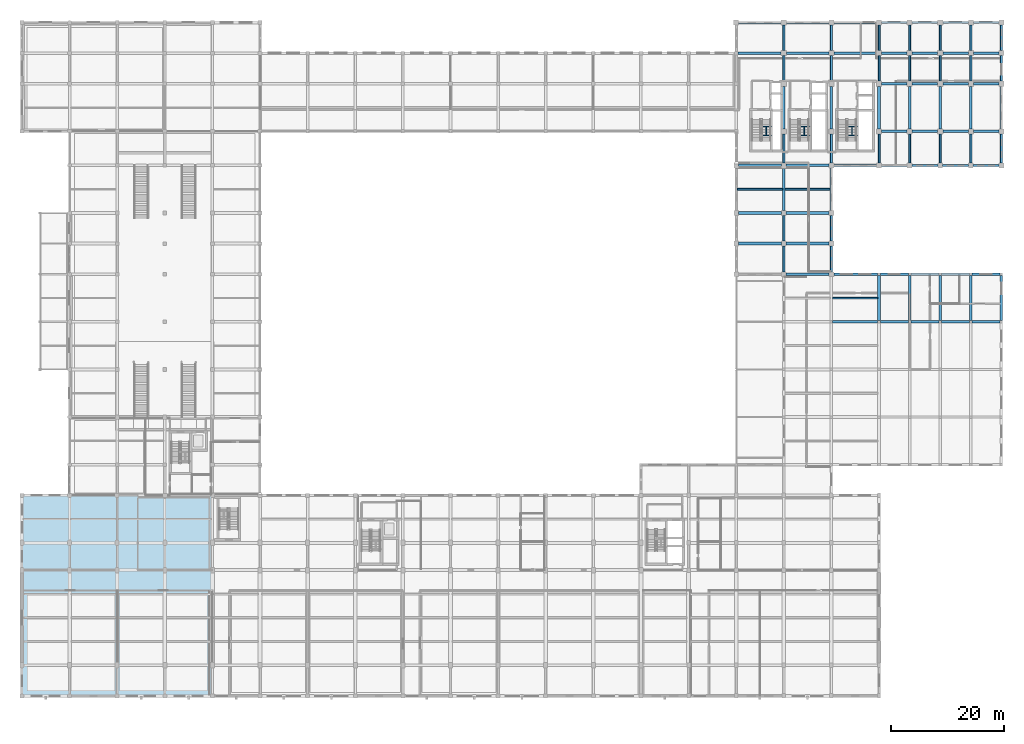
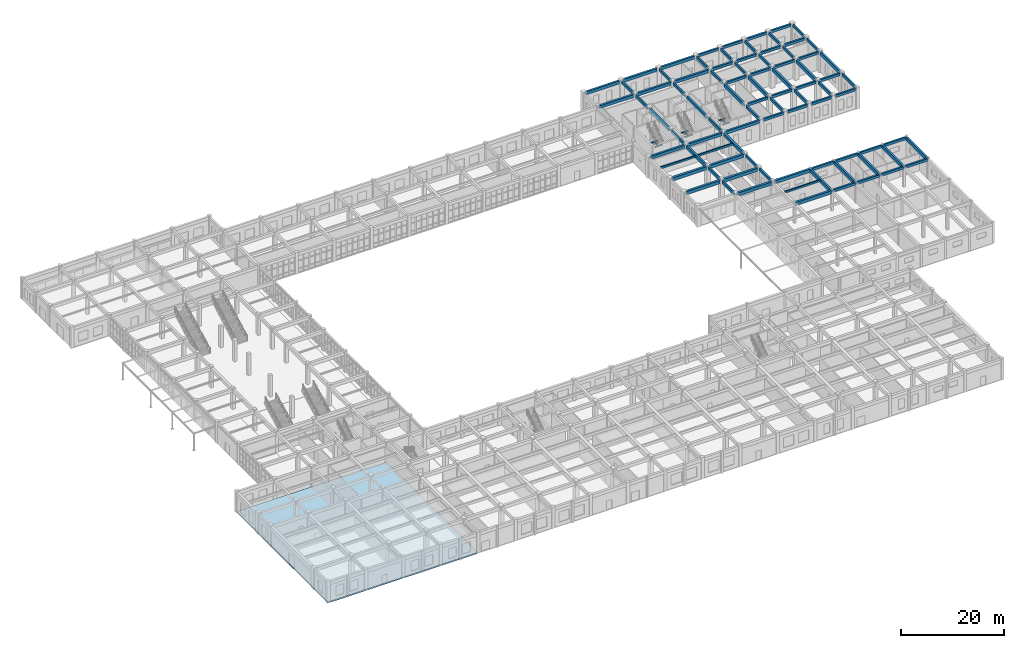
# One storey, part 42 of 80: 95 beams, 1 slab.
"""IFC4 building model written with IfcOpenShell, lengths in metres."""

from ifc_helpers import new_model, si_unit, direction, frame, origin, origin_2d, place, context, subcontext, project, spatial, polyline, rectangle, i_section, outline, extrude, material, layer, layer_set, material_profile, profile_set, type_object, element, save


model = new_model("IFC4")

# Units and contexts
model_context = context("Model", 3, precision=1e-05, world=origin(), true_north=direction((0.0, 1.0)))
body_context = subcontext(model_context, "Body", "Model", "MODEL_VIEW")
ifc_project = project(units=[si_unit("LENGTHUNIT", "METRE"), si_unit("AREAUNIT", "SQUARE_METRE"), si_unit("VOLUMEUNIT", "CUBIC_METRE"), si_unit("PLANEANGLEUNIT", "RADIAN"), si_unit("MASSUNIT", "GRAM", prefix="KILO")], contexts=[model_context])

# Site, building, storey
site_placement = place(None, origin())
site = spatial("IfcSite", under=ifc_project, at=site_placement, CompositionType="ELEMENT")
building_placement = place(site_placement, origin())
building = spatial("IfcBuilding", under=site, at=building_placement, Name="Krzemoval Escarpment Law Courts", CompositionType="ELEMENT")
storey_placement = place(building_placement, origin())
storey = spatial("IfcBuildingStorey", under=building, at=storey_placement, Name="L00", CompositionType="ELEMENT", Elevation=0.0)

# Beams
ifc_material_1 = material(Name="Concrete C40/50", Category="concrete")
ifc_material_profile_1 = material_profile(ifc_material_1, rectangle(XDim=0.35009765625, YDim=0.64990234375, at=origin_2d()), Name="RCB 350x650")
ifc_profile_set_1 = profile_set([ifc_material_profile_1], Name="Concrete C40/50")
beam_type_1 = type_object("IfcBeamType", Name="BM-RC-350x650", PredefinedType="BEAM", material=ifc_profile_set_1)
beam_1_placement = place(storey_placement, frame((134.39990234375, 74.824951171875, 4.4951171875), z_axis=(0.0, 1.0, 0.0), x_axis=(-1.0, 0.0, 0.0)))
element("IfcBeam", 1, at=beam_1_placement, inside=storey, type_object=beam_type_1, Name="Beam FG-L00-0971", PredefinedType="BEAM", context=body_context, shape_type="SweptSolid", body=[
    extrude(rectangle(XDim=0.35009765625, YDim=0.64990234375, at=origin_2d()), origin(), (0.0, 0.0, 1.0), 4.550048828125),
])
beam_2_placement = place(storey_placement, frame((134.39990234375, 80.22509765625, 4.4951171875), z_axis=(0.0, 1.0, 0.0), x_axis=(-1.0, 0.0, 0.0)))
element("IfcBeam", 2, at=beam_2_placement, inside=storey, type_object=beam_type_1, Name="Beam FG-L00-0972", PredefinedType="BEAM", context=body_context, shape_type="SweptSolid", body=[
    extrude(rectangle(XDim=0.35009765625, YDim=0.64990234375, at=origin_2d()), origin(), (0.0, 0.0, 1.0), 4.5498046875),
])
beam_3_placement = place(storey_placement, frame((134.39990234375, 94.02490234375, 4.4951171875), z_axis=(0.0, 1.0, 0.0), x_axis=(-1.0, 0.0, 0.0)))
element("IfcBeam", 3, at=beam_3_placement, inside=storey, type_object=beam_type_1, Name="Beam FG-L00-0974", PredefinedType="BEAM", context=body_context, shape_type="SweptSolid", body=[
    extrude(rectangle(XDim=0.35009765625, YDim=0.64990234375, at=origin_2d()), origin(), (0.0, 0.0, 1.0), 5.125),
])
for number, where, z_axis, x_axis, name in (
    (4, (134.39990234375, 108.449951171875, 4.4951171875), (0.0, 1.0, 0.0), (-1.0, 0.0, 0.0), "Beam FG-L00-0976"),
    (5, (134.39990234375, 113.85009765625, 4.4951171875), (0.0, 1.0, 0.0), (-1.0, 0.0, 0.0), "Beam FG-L00-0977"),
):
    element("IfcBeam", number, at=place(storey_placement, frame(where, z_axis=z_axis, x_axis=x_axis)), inside=storey, type_object=beam_type_1, Name=name, PredefinedType="BEAM", context=body_context, shape_type="SweptSolid", body=[
        extrude(rectangle(XDim=0.35009765625, YDim=0.64990234375, at=origin_2d()), origin(), (0.0, 0.0, 1.0), 4.5),
    ])
beam_4_placement = place(storey_placement, frame((142.800048828125, 74.824951171875, 4.4951171875), z_axis=(0.0, 1.0, 0.0), x_axis=(-1.0, 0.0, 0.0)))
element("IfcBeam", 6, at=beam_4_placement, inside=storey, type_object=beam_type_1, Name="Beam FG-L00-0987", PredefinedType="BEAM", context=body_context, shape_type="SweptSolid", body=[
    extrude(rectangle(XDim=0.35009765625, YDim=0.64990234375, at=origin_2d()), origin(), (0.0, 0.0, 1.0), 4.550048828125),
])
beam_5_placement = place(storey_placement, frame((142.800048828125, 80.22509765625, 4.4951171875), z_axis=(0.0, 1.0, 0.0), x_axis=(-1.0, 0.0, 0.0)))
element("IfcBeam", 7, at=beam_5_placement, inside=storey, type_object=beam_type_1, Name="Beam FG-L00-0988", PredefinedType="BEAM", context=body_context, shape_type="SweptSolid", body=[
    extrude(rectangle(XDim=0.35009765625, YDim=0.64990234375, at=origin_2d()), origin(), (0.0, 0.0, 1.0), 4.5498046875),
])
beam_6_placement = place(storey_placement, frame((142.800048828125, 94.02490234375, 4.4951171875), z_axis=(0.0, 1.0, 0.0), x_axis=(-1.0, 0.0, 0.0)))
element("IfcBeam", 8, at=beam_6_placement, inside=storey, type_object=beam_type_1, Name="Beam FG-L00-0990", PredefinedType="BEAM", context=body_context, shape_type="SweptSolid", body=[
    extrude(rectangle(XDim=0.35009765625, YDim=0.64990234375, at=origin_2d()), origin(), (0.0, 0.0, 1.0), 5.125),
])
for number, where, z_axis, x_axis, name in (
    (9, (142.800048828125, 108.449951171875, 4.4951171875), (0.0, 1.0, 0.0), (-1.0, 0.0, 0.0), "Beam FG-L00-0992"),
    (10, (142.800048828125, 113.85009765625, 4.4951171875), (0.0, 1.0, 0.0), (-1.0, 0.0, 0.0), "Beam FG-L00-0993"),
):
    element("IfcBeam", number, at=place(storey_placement, frame(where, z_axis=z_axis, x_axis=x_axis)), inside=storey, type_object=beam_type_1, Name=name, PredefinedType="BEAM", context=body_context, shape_type="SweptSolid", body=[
        extrude(rectangle(XDim=0.35009765625, YDim=0.64990234375, at=origin_2d()), origin(), (0.0, 0.0, 1.0), 4.5),
    ])
beam_7_placement = place(storey_placement, frame((151.199951171875, 94.02490234375, 4.4951171875), z_axis=(0.0, 1.0, 0.0), x_axis=(-1.0, 0.0, 0.0)))
element("IfcBeam", 11, at=beam_7_placement, inside=storey, type_object=beam_type_1, Name="Beam FG-L00-1002", PredefinedType="BEAM", context=body_context, shape_type="SweptSolid", body=[
    extrude(rectangle(XDim=0.35009765625, YDim=0.64990234375, at=origin_2d()), origin(), (0.0, 0.0, 1.0), 5.125),
])
for number, where, z_axis, x_axis, name in (
    (12, (151.199951171875, 108.449951171875, 4.4951171875), (0.0, 1.0, 0.0), (-1.0, 0.0, 0.0), "Beam FG-L00-1004"),
    (13, (151.199951171875, 113.85009765625, 4.4951171875), (0.0, 1.0, 0.0), (-1.0, 0.0, 0.0), "Beam FG-L00-1005"),
):
    element("IfcBeam", number, at=place(storey_placement, frame(where, z_axis=z_axis, x_axis=x_axis)), inside=storey, type_object=beam_type_1, Name=name, PredefinedType="BEAM", context=body_context, shape_type="SweptSolid", body=[
        extrude(rectangle(XDim=0.35009765625, YDim=0.64990234375, at=origin_2d()), origin(), (0.0, 0.0, 1.0), 4.5),
    ])
beam_8_placement = place(storey_placement, frame((156.60009765625, 94.02490234375, 4.4951171875), z_axis=(0.0, 1.0, 0.0), x_axis=(-1.0, 0.0, 0.0)))
element("IfcBeam", 14, at=beam_8_placement, inside=storey, type_object=beam_type_1, Name="Beam FG-L00-1010", PredefinedType="BEAM", context=body_context, shape_type="SweptSolid", body=[
    extrude(rectangle(XDim=0.35009765625, YDim=0.64990234375, at=origin_2d()), origin(), (0.0, 0.0, 1.0), 5.125),
])
for number, where, z_axis, x_axis, name in (
    (15, (156.60009765625, 108.449951171875, 4.4951171875), (0.0, 1.0, 0.0), (-1.0, 0.0, 0.0), "Beam FG-L00-1012"),
    (16, (156.60009765625, 113.85009765625, 4.4951171875), (0.0, 1.0, 0.0), (-1.0, 0.0, 0.0), "Beam FG-L00-1013"),
):
    element("IfcBeam", number, at=place(storey_placement, frame(where, z_axis=z_axis, x_axis=x_axis)), inside=storey, type_object=beam_type_1, Name=name, PredefinedType="BEAM", context=body_context, shape_type="SweptSolid", body=[
        extrude(rectangle(XDim=0.35009765625, YDim=0.64990234375, at=origin_2d()), origin(), (0.0, 0.0, 1.0), 4.5),
    ])
beam_9_placement = place(storey_placement, frame((162.0, 94.02490234375, 4.4951171875), z_axis=(0.0, 1.0, 0.0), x_axis=(-1.0, 0.0, 0.0)))
element("IfcBeam", 17, at=beam_9_placement, inside=storey, type_object=beam_type_1, Name="Beam FG-L00-1018", PredefinedType="BEAM", context=body_context, shape_type="SweptSolid", body=[
    extrude(rectangle(XDim=0.35009765625, YDim=0.64990234375, at=origin_2d()), origin(), (0.0, 0.0, 1.0), 5.125),
])
for number, where, z_axis, x_axis, name in (
    (18, (162.0, 108.449951171875, 4.4951171875), (0.0, 1.0, 0.0), (-1.0, 0.0, 0.0), "Beam FG-L00-1020"),
    (19, (162.0, 113.85009765625, 4.4951171875), (0.0, 1.0, 0.0), (-1.0, 0.0, 0.0), "Beam FG-L00-1021"),
):
    element("IfcBeam", number, at=place(storey_placement, frame(where, z_axis=z_axis, x_axis=x_axis)), inside=storey, type_object=beam_type_1, Name=name, PredefinedType="BEAM", context=body_context, shape_type="SweptSolid", body=[
        extrude(rectangle(XDim=0.35009765625, YDim=0.64990234375, at=origin_2d()), origin(), (0.0, 0.0, 1.0), 4.5),
    ])
beam_10_placement = place(storey_placement, frame((167.39990234375, 94.02490234375, 4.4951171875), z_axis=(0.0, 1.0, 0.0), x_axis=(-1.0, 0.0, 0.0)))
element("IfcBeam", 20, at=beam_10_placement, inside=storey, type_object=beam_type_1, Name="Beam FG-L00-1026", PredefinedType="BEAM", context=body_context, shape_type="SweptSolid", body=[
    extrude(rectangle(XDim=0.35009765625, YDim=0.64990234375, at=origin_2d()), origin(), (0.0, 0.0, 1.0), 5.125),
])
for number, where, z_axis, x_axis, name in (
    (21, (167.39990234375, 108.449951171875, 4.4951171875), (0.0, 1.0, 0.0), (-1.0, 0.0, 0.0), "Beam FG-L00-1028"),
    (22, (167.39990234375, 113.85009765625, 4.4951171875), (0.0, 1.0, 0.0), (-1.0, 0.0, 0.0), "Beam FG-L00-1029"),
):
    element("IfcBeam", number, at=place(storey_placement, frame(where, z_axis=z_axis, x_axis=x_axis)), inside=storey, type_object=beam_type_1, Name=name, PredefinedType="BEAM", context=body_context, shape_type="SweptSolid", body=[
        extrude(rectangle(XDim=0.35009765625, YDim=0.64990234375, at=origin_2d()), origin(), (0.0, 0.0, 1.0), 4.5),
    ])
beam_11_placement = place(storey_placement, frame((172.800048828125, 94.02490234375, 4.4951171875), z_axis=(0.0, 1.0, 0.0), x_axis=(-1.0, 0.0, 0.0)))
element("IfcBeam", 23, at=beam_11_placement, inside=storey, type_object=beam_type_1, Name="Beam FG-L00-1034", PredefinedType="BEAM", context=body_context, shape_type="SweptSolid", body=[
    extrude(rectangle(XDim=0.35009765625, YDim=0.64990234375, at=origin_2d()), origin(), (0.0, 0.0, 1.0), 5.125),
])
for number, where, z_axis, x_axis, name in (
    (24, (172.800048828125, 108.449951171875, 4.4951171875), (0.0, 1.0, 0.0), (-1.0, 0.0, 0.0), "Beam FG-L00-1036"),
    (25, (172.800048828125, 113.85009765625, 4.4951171875), (0.0, 1.0, 0.0), (-1.0, 0.0, 0.0), "Beam FG-L00-1037"),
):
    element("IfcBeam", number, at=place(storey_placement, frame(where, z_axis=z_axis, x_axis=x_axis)), inside=storey, type_object=beam_type_1, Name=name, PredefinedType="BEAM", context=body_context, shape_type="SweptSolid", body=[
        extrude(rectangle(XDim=0.35009765625, YDim=0.64990234375, at=origin_2d()), origin(), (0.0, 0.0, 1.0), 4.5),
    ])
ifc_material_2 = material(Name="Concrete C40/50", Category="concrete")
ifc_material_profile_2 = material_profile(ifc_material_2, rectangle(XDim=0.39990234375, YDim=0.60009765625, at=origin_2d()), Name="RCB 400x600")
ifc_profile_set_2 = profile_set([ifc_material_profile_2], Name="Concrete C40/50")
beam_type_2 = type_object("IfcBeamType", Name="BM-RC-400x600", PredefinedType="BEAM", material=ifc_profile_set_2)
for number, where, z_axis, x_axis, name in (
    (26, (151.425048828125, 66.0, 4.52001953125), (1.0, 0.0, 0.0), (0.0, 1.0, 0.0), "Beam FG-L00-0709"),
    (27, (156.824951171875, 66.0, 4.52001953125), (1.0, 0.0, 0.0), (0.0, 1.0, 0.0), "Beam FG-L00-0710"),
    (28, (162.22509765625, 66.0, 4.52001953125), (1.0, 0.0, 0.0), (0.0, 1.0, 0.0), "Beam FG-L00-0711"),
    (29, (167.625, 66.0, 4.52001953125), (1.0, 0.0, 0.0), (0.0, 1.0, 0.0), "Beam FG-L00-0712"),
    (30, (151.425048828125, 74.39990234375, 4.52001953125), (1.0, 0.0, 0.0), (0.0, 1.0, 0.0), "Beam FG-L00-0718"),
    (31, (156.824951171875, 74.39990234375, 4.52001953125), (1.0, 0.0, 0.0), (0.0, 1.0, 0.0), "Beam FG-L00-0719"),
    (32, (162.22509765625, 74.39990234375, 4.52001953125), (1.0, 0.0, 0.0), (0.0, 1.0, 0.0), "Beam FG-L00-0720"),
    (33, (167.625, 74.39990234375, 4.52001953125), (1.0, 0.0, 0.0), (0.0, 1.0, 0.0), "Beam FG-L00-0721"),
):
    element("IfcBeam", number, at=place(storey_placement, frame(where, z_axis=z_axis, x_axis=x_axis)), inside=storey, type_object=beam_type_2, Name=name, PredefinedType="BEAM", context=body_context, shape_type="SweptSolid", body=[
        extrude(rectangle(XDim=0.39990234375, YDim=0.60009765625, at=origin_2d()), origin(), (0.0, 0.0, 1.0), 4.949951171875),
    ])
for number, where, z_axis, x_axis, name in (
    (34, (151.625, 93.60009765625, 4.52001953125), (1.0, 0.0, 0.0), (0.0, 1.0, 0.0), "Beam FG-L00-0737"),
    (35, (157.02490234375, 93.60009765625, 4.52001953125), (1.0, 0.0, 0.0), (0.0, 1.0, 0.0), "Beam FG-L00-0738"),
    (36, (162.425048828125, 93.60009765625, 4.52001953125), (1.0, 0.0, 0.0), (0.0, 1.0, 0.0), "Beam FG-L00-0739"),
    (37, (167.824951171875, 93.60009765625, 4.52001953125), (1.0, 0.0, 0.0), (0.0, 1.0, 0.0), "Beam FG-L00-0740"),
):
    element("IfcBeam", number, at=place(storey_placement, frame(where, z_axis=z_axis, x_axis=x_axis)), inside=storey, type_object=beam_type_2, Name=name, PredefinedType="BEAM", context=body_context, shape_type="SweptSolid", body=[
        extrude(rectangle(XDim=0.39990234375, YDim=0.60009765625, at=origin_2d()), origin(), (0.0, 0.0, 1.0), 4.550048828125),
    ])
for number, where, z_axis, x_axis, name in (
    (38, (151.64990234375, 99.60009765625, 4.52001953125), (1.0, 0.0, 0.0), (0.0, 1.0, 0.0), "Beam FG-L00-0756"),
    (39, (157.050048828125, 99.60009765625, 4.52001953125), (1.0, 0.0, 0.0), (0.0, 1.0, 0.0), "Beam FG-L00-0757"),
    (40, (162.449951171875, 99.60009765625, 4.52001953125), (1.0, 0.0, 0.0), (0.0, 1.0, 0.0), "Beam FG-L00-0758"),
    (41, (167.85009765625, 99.60009765625, 4.52001953125), (1.0, 0.0, 0.0), (0.0, 1.0, 0.0), "Beam FG-L00-0759"),
    (42, (151.64990234375, 108.0, 4.52001953125), (1.0, 0.0, 0.0), (0.0, 1.0, 0.0), "Beam FG-L00-0775"),
    (43, (157.050048828125, 108.0, 4.52001953125), (1.0, 0.0, 0.0), (0.0, 1.0, 0.0), "Beam FG-L00-0776"),
    (44, (162.449951171875, 108.0, 4.52001953125), (1.0, 0.0, 0.0), (0.0, 1.0, 0.0), "Beam FG-L00-0777"),
    (45, (167.85009765625, 108.0, 4.52001953125), (1.0, 0.0, 0.0), (0.0, 1.0, 0.0), "Beam FG-L00-0778"),
    (46, (151.64990234375, 113.39990234375, 4.52001953125), (1.0, 0.0, 0.0), (0.0, 1.0, 0.0), "Beam FG-L00-0797"),
    (47, (157.050048828125, 113.39990234375, 4.52001953125), (1.0, 0.0, 0.0), (0.0, 1.0, 0.0), "Beam FG-L00-0798"),
    (48, (162.449951171875, 113.39990234375, 4.52001953125), (1.0, 0.0, 0.0), (0.0, 1.0, 0.0), "Beam FG-L00-0799"),
    (49, (167.85009765625, 113.39990234375, 4.52001953125), (1.0, 0.0, 0.0), (0.0, 1.0, 0.0), "Beam FG-L00-0800"),
    (50, (151.64990234375, 118.800048828125, 4.52001953125), (1.0, 0.0, 0.0), (0.0, 1.0, 0.0), "Beam FG-L00-0809"),
    (51, (157.050048828125, 118.800048828125, 4.52001953125), (1.0, 0.0, 0.0), (0.0, 1.0, 0.0), "Beam FG-L00-0810"),
    (52, (162.449951171875, 118.800048828125, 4.52001953125), (1.0, 0.0, 0.0), (0.0, 1.0, 0.0), "Beam FG-L00-0811"),
    (53, (167.85009765625, 118.800048828125, 4.52001953125), (1.0, 0.0, 0.0), (0.0, 1.0, 0.0), "Beam FG-L00-0812"),
):
    element("IfcBeam", number, at=place(storey_placement, frame(where, z_axis=z_axis, x_axis=x_axis)), inside=storey, type_object=beam_type_2, Name=name, PredefinedType="BEAM", context=body_context, shape_type="SweptSolid", body=[
        extrude(rectangle(XDim=0.39990234375, YDim=0.60009765625, at=origin_2d()), origin(), (0.0, 0.0, 1.0), 4.5),
    ])
ifc_material_3 = material(Name="Concrete C40/50", Category="concrete")
ifc_material_profile_3 = material_profile(ifc_material_3, rectangle(XDim=0.449951171875, YDim=0.699951171875, at=origin_2d()), Name="RCB 450x700")
ifc_profile_set_3 = profile_set([ifc_material_profile_3], Name="Concrete C40/50")
beam_type_3 = type_object("IfcBeamType", Name="BM-RC-450x700", PredefinedType="BEAM", material=ifc_profile_set_3)
for number, where, z_axis, x_axis, name in (
    (54, (126.425048828125, 93.60009765625, 4.469970703125), (1.0, 0.0, 0.0), (0.0, 1.0, 0.0), "Beam FG-L00-0734"),
    (55, (134.824951171875, 93.60009765625, 4.469970703125), (1.0, 0.0, 0.0), (0.0, 1.0, 0.0), "Beam FG-L00-0735"),
):
    element("IfcBeam", number, at=place(storey_placement, frame(where, z_axis=z_axis, x_axis=x_axis)), inside=storey, type_object=beam_type_3, Name=name, PredefinedType="BEAM", context=body_context, shape_type="SweptSolid", body=[
        extrude(rectangle(XDim=0.449951171875, YDim=0.699951171875, at=origin_2d()), origin(), (0.0, 0.0, 1.0), 7.550048828125),
    ])
beam_12_placement = place(storey_placement, frame((143.22509765625, 93.60009765625, 4.469970703125), z_axis=(1.0, 0.0, 0.0), x_axis=(0.0, 1.0, 0.0)))
element("IfcBeam", 56, at=beam_12_placement, inside=storey, type_object=beam_type_3, Name="Beam FG-L00-0736", PredefinedType="BEAM", context=body_context, shape_type="SweptSolid", body=[
    extrude(rectangle(XDim=0.449951171875, YDim=0.699951171875, at=origin_2d()), origin(), (0.0, 0.0, 1.0), 7.5498046875),
])
beam_13_placement = place(storey_placement, frame((126.324951171875, 113.39990234375, 4.469970703125), z_axis=(1.0, 0.0, 0.0), x_axis=(0.0, 1.0, 0.0)))
element("IfcBeam", 57, at=beam_13_placement, inside=storey, type_object=beam_type_3, Name="Beam FG-L00-0794", PredefinedType="BEAM", context=body_context, shape_type="SweptSolid", body=[
    extrude(rectangle(XDim=0.449951171875, YDim=0.699951171875, at=origin_2d()), origin(), (0.0, 0.0, 1.0), 7.625),
])
for number, where, z_axis, x_axis, name in (
    (58, (134.85009765625, 113.39990234375, 4.469970703125), (1.0, 0.0, 0.0), (0.0, 1.0, 0.0), "Beam FG-L00-0795"),
    (59, (143.25, 113.39990234375, 4.469970703125), (1.0, 0.0, 0.0), (0.0, 1.0, 0.0), "Beam FG-L00-0796"),
    (60, (126.449951171875, 118.800048828125, 4.469970703125), (1.0, 0.0, 0.0), (0.0, 1.0, 0.0), "Beam FG-L00-0806"),
    (61, (134.85009765625, 118.800048828125, 4.469970703125), (1.0, 0.0, 0.0), (0.0, 1.0, 0.0), "Beam FG-L00-0807"),
    (62, (143.25, 118.800048828125, 4.469970703125), (1.0, 0.0, 0.0), (0.0, 1.0, 0.0), "Beam FG-L00-0808"),
):
    element("IfcBeam", number, at=place(storey_placement, frame(where, z_axis=z_axis, x_axis=x_axis)), inside=storey, type_object=beam_type_3, Name=name, PredefinedType="BEAM", context=body_context, shape_type="SweptSolid", body=[
        extrude(rectangle(XDim=0.449951171875, YDim=0.699951171875, at=origin_2d()), origin(), (0.0, 0.0, 1.0), 7.5),
    ])
ifc_material_4 = material(Name="Concrete C40/50", Category="concrete")
ifc_material_profile_4 = material_profile(ifc_material_4, rectangle(XDim=0.449951171875, YDim=0.800048828125, at=origin_2d()), Name="RCB 450x800")
ifc_profile_set_4 = profile_set([ifc_material_profile_4], Name="Concrete C40/50")
beam_type_4 = type_object("IfcBeamType", Name="BM-RC-450x800", PredefinedType="BEAM", material=ifc_profile_set_4)
beam_14_placement = place(storey_placement, frame((134.39990234375, 85.625, 4.419921875), z_axis=(0.0, 1.0, 0.0), x_axis=(-1.0, 0.0, 0.0)))
element("IfcBeam", 63, at=beam_14_placement, inside=storey, type_object=beam_type_4, Name="Beam FG-L00-0973", PredefinedType="BEAM", context=body_context, shape_type="SweptSolid", body=[
    extrude(rectangle(XDim=0.449951171875, YDim=0.800048828125, at=origin_2d()), origin(), (0.0, 0.0, 1.0), 7.550048828125),
])
beam_15_placement = place(storey_placement, frame((134.39990234375, 100.050048828125, 4.419921875), z_axis=(0.0, 1.0, 0.0), x_axis=(-1.0, 0.0, 0.0)))
element("IfcBeam", 64, at=beam_15_placement, inside=storey, type_object=beam_type_4, Name="Beam FG-L00-0975", PredefinedType="BEAM", context=body_context, shape_type="SweptSolid", body=[
    extrude(rectangle(XDim=0.449951171875, YDim=0.800048828125, at=origin_2d()), origin(), (0.0, 0.0, 1.0), 7.5),
])
beam_16_placement = place(storey_placement, frame((142.800048828125, 85.625, 4.419921875), z_axis=(0.0, 1.0, 0.0), x_axis=(-1.0, 0.0, 0.0)))
element("IfcBeam", 65, at=beam_16_placement, inside=storey, type_object=beam_type_4, Name="Beam FG-L00-0989", PredefinedType="BEAM", context=body_context, shape_type="SweptSolid", body=[
    extrude(rectangle(XDim=0.449951171875, YDim=0.800048828125, at=origin_2d()), origin(), (0.0, 0.0, 1.0), 7.550048828125),
])
beam_17_placement = place(storey_placement, frame((142.800048828125, 100.050048828125, 4.419921875), z_axis=(0.0, 1.0, 0.0), x_axis=(-1.0, 0.0, 0.0)))
element("IfcBeam", 66, at=beam_17_placement, inside=storey, type_object=beam_type_4, Name="Beam FG-L00-0991", PredefinedType="BEAM", context=body_context, shape_type="SweptSolid", body=[
    extrude(rectangle(XDim=0.449951171875, YDim=0.800048828125, at=origin_2d()), origin(), (0.0, 0.0, 1.0), 7.5),
])
beam_18_placement = place(storey_placement, frame((151.199951171875, 66.22509765625, 4.419921875), z_axis=(0.0, 1.0, 0.0), x_axis=(-1.0, 0.0, 0.0)))
element("IfcBeam", 67, at=beam_18_placement, inside=storey, type_object=beam_type_4, Name="Beam FG-L00-1001", PredefinedType="BEAM", context=body_context, shape_type="SweptSolid", body=[
    extrude(rectangle(XDim=0.449951171875, YDim=0.800048828125, at=origin_2d()), origin(), (0.0, 0.0, 1.0), 7.949951171875),
])
beam_19_placement = place(storey_placement, frame((151.199951171875, 100.050048828125, 4.419921875), z_axis=(0.0, 1.0, 0.0), x_axis=(-1.0, 0.0, 0.0)))
element("IfcBeam", 68, at=beam_19_placement, inside=storey, type_object=beam_type_4, Name="Beam FG-L00-1003", PredefinedType="BEAM", context=body_context, shape_type="SweptSolid", body=[
    extrude(rectangle(XDim=0.449951171875, YDim=0.800048828125, at=origin_2d()), origin(), (0.0, 0.0, 1.0), 7.5),
])
beam_20_placement = place(storey_placement, frame((156.60009765625, 66.22509765625, 4.419921875), z_axis=(0.0, 1.0, 0.0), x_axis=(-1.0, 0.0, 0.0)))
element("IfcBeam", 69, at=beam_20_placement, inside=storey, type_object=beam_type_4, Name="Beam FG-L00-1009", PredefinedType="BEAM", context=body_context, shape_type="SweptSolid", body=[
    extrude(rectangle(XDim=0.449951171875, YDim=0.800048828125, at=origin_2d()), origin(), (0.0, 0.0, 1.0), 7.949951171875),
])
beam_21_placement = place(storey_placement, frame((156.60009765625, 100.050048828125, 4.419921875), z_axis=(0.0, 1.0, 0.0), x_axis=(-1.0, 0.0, 0.0)))
element("IfcBeam", 70, at=beam_21_placement, inside=storey, type_object=beam_type_4, Name="Beam FG-L00-1011", PredefinedType="BEAM", context=body_context, shape_type="SweptSolid", body=[
    extrude(rectangle(XDim=0.449951171875, YDim=0.800048828125, at=origin_2d()), origin(), (0.0, 0.0, 1.0), 7.5),
])
beam_22_placement = place(storey_placement, frame((162.0, 66.22509765625, 4.419921875), z_axis=(0.0, 1.0, 0.0), x_axis=(-1.0, 0.0, 0.0)))
element("IfcBeam", 71, at=beam_22_placement, inside=storey, type_object=beam_type_4, Name="Beam FG-L00-1017", PredefinedType="BEAM", context=body_context, shape_type="SweptSolid", body=[
    extrude(rectangle(XDim=0.449951171875, YDim=0.800048828125, at=origin_2d()), origin(), (0.0, 0.0, 1.0), 7.949951171875),
])
beam_23_placement = place(storey_placement, frame((162.0, 100.050048828125, 4.419921875), z_axis=(0.0, 1.0, 0.0), x_axis=(-1.0, 0.0, 0.0)))
element("IfcBeam", 72, at=beam_23_placement, inside=storey, type_object=beam_type_4, Name="Beam FG-L00-1019", PredefinedType="BEAM", context=body_context, shape_type="SweptSolid", body=[
    extrude(rectangle(XDim=0.449951171875, YDim=0.800048828125, at=origin_2d()), origin(), (0.0, 0.0, 1.0), 7.5),
])
beam_24_placement = place(storey_placement, frame((167.39990234375, 66.22509765625, 4.419921875), z_axis=(0.0, 1.0, 0.0), x_axis=(-1.0, 0.0, 0.0)))
element("IfcBeam", 73, at=beam_24_placement, inside=storey, type_object=beam_type_4, Name="Beam FG-L00-1025", PredefinedType="BEAM", context=body_context, shape_type="SweptSolid", body=[
    extrude(rectangle(XDim=0.449951171875, YDim=0.800048828125, at=origin_2d()), origin(), (0.0, 0.0, 1.0), 7.949951171875),
])
beam_25_placement = place(storey_placement, frame((167.39990234375, 100.050048828125, 4.419921875), z_axis=(0.0, 1.0, 0.0), x_axis=(-1.0, 0.0, 0.0)))
element("IfcBeam", 74, at=beam_25_placement, inside=storey, type_object=beam_type_4, Name="Beam FG-L00-1027", PredefinedType="BEAM", context=body_context, shape_type="SweptSolid", body=[
    extrude(rectangle(XDim=0.449951171875, YDim=0.800048828125, at=origin_2d()), origin(), (0.0, 0.0, 1.0), 7.5),
])
beam_26_placement = place(storey_placement, frame((172.800048828125, 66.22509765625, 4.419921875), z_axis=(0.0, 1.0, 0.0), x_axis=(-1.0, 0.0, 0.0)))
element("IfcBeam", 75, at=beam_26_placement, inside=storey, type_object=beam_type_4, Name="Beam FG-L00-1033", PredefinedType="BEAM", context=body_context, shape_type="SweptSolid", body=[
    extrude(rectangle(XDim=0.449951171875, YDim=0.800048828125, at=origin_2d()), origin(), (0.0, 0.0, 1.0), 7.949951171875),
])
beam_27_placement = place(storey_placement, frame((172.800048828125, 100.050048828125, 4.419921875), z_axis=(0.0, 1.0, 0.0), x_axis=(-1.0, 0.0, 0.0)))
element("IfcBeam", 76, at=beam_27_placement, inside=storey, type_object=beam_type_4, Name="Beam FG-L00-1035", PredefinedType="BEAM", context=body_context, shape_type="SweptSolid", body=[
    extrude(rectangle(XDim=0.449951171875, YDim=0.800048828125, at=origin_2d()), origin(), (0.0, 0.0, 1.0), 7.5),
])
ifc_material_5 = material(Name="Concrete C40/50", Category="concrete")
ifc_material_profile_5 = material_profile(ifc_material_5, rectangle(XDim=0.5, YDim=0.75, at=origin_2d()), Name="RCB 500x750")
ifc_profile_set_5 = profile_set([ifc_material_profile_5], Name="Concrete C40/50")
beam_type_5 = type_object("IfcBeamType", Name="BM-RC-500x750", PredefinedType="BEAM", material=ifc_profile_set_5)
beam_28_placement = place(storey_placement, frame((143.02490234375, 66.0, 4.445068359375), z_axis=(1.0, 0.0, 0.0), x_axis=(0.0, 1.0, 0.0)))
element("IfcBeam", 77, at=beam_28_placement, inside=storey, type_object=beam_type_5, Name="Beam FG-L00-0708", PredefinedType="BEAM", context=body_context, shape_type="SweptSolid", body=[
    extrude(rectangle(XDim=0.5, YDim=0.75, at=origin_2d()), origin(), (0.0, 0.0, 1.0), 7.9501953125),
])
beam_29_placement = place(storey_placement, frame((134.824951171875, 74.39990234375, 4.445068359375), z_axis=(1.0, 0.0, 0.0), x_axis=(0.0, 1.0, 0.0)))
element("IfcBeam", 78, at=beam_29_placement, inside=storey, type_object=beam_type_5, Name="Beam FG-L00-0716", PredefinedType="BEAM", context=body_context, shape_type="SweptSolid", body=[
    extrude(rectangle(XDim=0.5, YDim=0.75, at=origin_2d()), origin(), (0.0, 0.0, 1.0), 7.550048828125),
])
beam_30_placement = place(storey_placement, frame((143.22509765625, 74.39990234375, 4.445068359375), z_axis=(1.0, 0.0, 0.0), x_axis=(0.0, 1.0, 0.0)))
element("IfcBeam", 79, at=beam_30_placement, inside=storey, type_object=beam_type_5, Name="Beam FG-L00-0717", PredefinedType="BEAM", context=body_context, shape_type="SweptSolid", body=[
    extrude(rectangle(XDim=0.5, YDim=0.75, at=origin_2d()), origin(), (0.0, 0.0, 1.0), 7.75),
])
for number, where, z_axis, x_axis, name in (
    (80, (126.425048828125, 79.800048828125, 4.445068359375), (1.0, 0.0, 0.0), (0.0, 1.0, 0.0), "Beam FG-L00-0724"),
    (81, (134.824951171875, 79.800048828125, 4.445068359375), (1.0, 0.0, 0.0), (0.0, 1.0, 0.0), "Beam FG-L00-0725"),
    (82, (126.425048828125, 85.199951171875, 4.445068359375), (1.0, 0.0, 0.0), (0.0, 1.0, 0.0), "Beam FG-L00-0728"),
    (83, (134.824951171875, 85.199951171875, 4.445068359375), (1.0, 0.0, 0.0), (0.0, 1.0, 0.0), "Beam FG-L00-0729"),
):
    element("IfcBeam", number, at=place(storey_placement, frame(where, z_axis=z_axis, x_axis=x_axis)), inside=storey, type_object=beam_type_5, Name=name, PredefinedType="BEAM", context=body_context, shape_type="SweptSolid", body=[
        extrude(rectangle(XDim=0.5, YDim=0.75, at=origin_2d()), origin(), (0.0, 0.0, 1.0), 7.550048828125),
    ])
ifc_material_6 = material(Name="Concrete C40/50", Category="concrete")
ifc_material_profile_6 = material_profile(ifc_material_6, rectangle(XDim=0.300048828125, YDim=0.449951171875, at=origin_2d()), Name="RCB 300x450")
ifc_profile_set_6 = profile_set([ifc_material_profile_6], Name="Concrete C40/50")
beam_type_6 = type_object("IfcBeamType", Name="JST-RC-300x450", PredefinedType="JOIST", material=ifc_profile_set_6)
for number, where, z_axis, x_axis, name in (
    (84, (126.22509765625, 89.39990234375, 4.594970703125), (1.0, 0.0, 0.0), (0.0, 1.0, 0.0), "Secondary Joist FJ-L00-1127"),
    (85, (134.625, 89.39990234375, 4.594970703125), (1.0, 0.0, 0.0), (0.0, 1.0, 0.0), "Secondary Joist FJ-L00-1136"),
):
    element("IfcBeam", number, at=place(storey_placement, frame(where, z_axis=z_axis, x_axis=x_axis)), inside=storey, type_object=beam_type_6, Name=name, PredefinedType="JOIST", context=body_context, shape_type="SweptSolid", body=[
        extrude(rectangle(XDim=0.300048828125, YDim=0.449951171875, at=origin_2d()), origin(), (0.0, 0.0, 1.0), 7.949951171875),
    ])
beam_31_placement = place(storey_placement, frame((143.02490234375, 70.199951171875, 4.594970703125), z_axis=(1.0, 0.0, 0.0), x_axis=(0.0, 1.0, 0.0)))
element("IfcBeam", 86, at=beam_31_placement, inside=storey, type_object=beam_type_6, Name="Secondary Joist FJ-L00-1144", PredefinedType="JOIST", context=body_context, shape_type="SweptSolid", body=[
    extrude(rectangle(XDim=0.300048828125, YDim=0.449951171875, at=origin_2d()), origin(), (0.0, 0.0, 1.0), 7.9501953125),
])
ifc_material_7 = material(Name="Steel S355", Category="steel")
ifc_material_profile_7 = material_profile(ifc_material_7, i_section(OverallWidth=0.14990234375, OverallDepth=0.300048828125, WebThickness=0.007080078125, FlangeThickness=0.0107421875, at=origin_2d()), Name="IPE 300")
ifc_profile_set_7 = profile_set([ifc_material_profile_7], Name="Steel S355")
beam_type_7 = type_object("IfcBeamType", Name="JST-S355-IPE300", PredefinedType="JOIST", material=ifc_profile_set_7)
for number, where, z_axis, x_axis, name in (
    (87, (130.39990234375, 98.860107421875, 2.27001953125), (1.0, 0.0, 0.0), (0.0, 1.0, 0.0), "Stair Well Crosshead SLHW-C1-L00-1"),
    (88, (130.39990234375, 100.4599609375, 2.27001953125), (1.0, 0.0, 0.0), (0.0, 1.0, 0.0), "Stair Well Crosshead SLHW-C1-L00-2"),
):
    element("IfcBeam", number, at=place(storey_placement, frame(where, z_axis=z_axis, x_axis=x_axis)), inside=storey, type_object=beam_type_7, Name=name, PredefinedType="JOIST", context=body_context, shape_type="SweptSolid", body=[
        extrude(i_section(OverallWidth=0.14990234375, OverallDepth=0.300048828125, WebThickness=0.007080078125, FlangeThickness=0.0107421875, at=origin_2d()), origin(), (0.0, 0.0, 1.0), 1.81005859375),
    ])
beam_32_placement = place(storey_placement, frame((131.27490234375, 98.860107421875, 2.27001953125), z_axis=(0.0, 1.0, 0.0), x_axis=(-1.0, 0.0, 0.0)))
element("IfcBeam", 89, at=beam_32_placement, inside=storey, type_object=beam_type_7, Name="Stair Flight Support Stringer SLTW-C1-L00", PredefinedType="JOIST", context=body_context, shape_type="SweptSolid", body=[
    extrude(i_section(OverallWidth=0.14990234375, OverallDepth=0.300048828125, WebThickness=0.007080078125, FlangeThickness=0.0107421875, at=origin_2d()), origin(), (0.0, 0.0, 1.0), 1.599853515625),
])
for number, where, z_axis, x_axis, name in (
    (90, (137.14990234375, 98.860107421875, 2.27001953125), (1.0, 0.0, 0.0), (0.0, 1.0, 0.0), "Stair Well Crosshead SLHW-C2-L00-1"),
    (91, (137.14990234375, 100.4599609375, 2.27001953125), (1.0, 0.0, 0.0), (0.0, 1.0, 0.0), "Stair Well Crosshead SLHW-C2-L00-2"),
):
    element("IfcBeam", number, at=place(storey_placement, frame(where, z_axis=z_axis, x_axis=x_axis)), inside=storey, type_object=beam_type_7, Name=name, PredefinedType="JOIST", context=body_context, shape_type="SweptSolid", body=[
        extrude(i_section(OverallWidth=0.14990234375, OverallDepth=0.300048828125, WebThickness=0.007080078125, FlangeThickness=0.0107421875, at=origin_2d()), origin(), (0.0, 0.0, 1.0), 1.81005859375),
    ])
beam_33_placement = place(storey_placement, frame((138.02490234375, 98.860107421875, 2.27001953125), z_axis=(0.0, 1.0, 0.0), x_axis=(-1.0, 0.0, 0.0)))
element("IfcBeam", 92, at=beam_33_placement, inside=storey, type_object=beam_type_7, Name="Stair Flight Support Stringer SLTW-C2-L00", PredefinedType="JOIST", context=body_context, shape_type="SweptSolid", body=[
    extrude(i_section(OverallWidth=0.14990234375, OverallDepth=0.300048828125, WebThickness=0.007080078125, FlangeThickness=0.0107421875, at=origin_2d()), origin(), (0.0, 0.0, 1.0), 1.599853515625),
])
for number, where, z_axis, x_axis, name in (
    (93, (145.550048828125, 98.860107421875, 2.27001953125), (1.0, 0.0, 0.0), (0.0, 1.0, 0.0), "Stair Well Crosshead SLHW-C3-L00-1"),
    (94, (145.550048828125, 100.4599609375, 2.27001953125), (1.0, 0.0, 0.0), (0.0, 1.0, 0.0), "Stair Well Crosshead SLHW-C3-L00-2"),
):
    element("IfcBeam", number, at=place(storey_placement, frame(where, z_axis=z_axis, x_axis=x_axis)), inside=storey, type_object=beam_type_7, Name=name, PredefinedType="JOIST", context=body_context, shape_type="SweptSolid", body=[
        extrude(i_section(OverallWidth=0.14990234375, OverallDepth=0.300048828125, WebThickness=0.007080078125, FlangeThickness=0.0107421875, at=origin_2d()), origin(), (0.0, 0.0, 1.0), 1.81005859375),
    ])
beam_34_placement = place(storey_placement, frame((146.425048828125, 98.860107421875, 2.27001953125), z_axis=(0.0, 1.0, 0.0), x_axis=(-1.0, 0.0, 0.0)))
element("IfcBeam", 95, at=beam_34_placement, inside=storey, type_object=beam_type_7, Name="Stair Flight Support Stringer SLTW-C3-L00", PredefinedType="JOIST", context=body_context, shape_type="SweptSolid", body=[
    extrude(i_section(OverallWidth=0.14990234375, OverallDepth=0.300048828125, WebThickness=0.007080078125, FlangeThickness=0.0107421875, at=origin_2d()), origin(), (0.0, 0.0, 1.0), 1.599853515625),
])

# Slab
ifc_material_8 = material(Name="Concrete C40/50", Category="concrete")
ifc_layer = layer(ifc_material_8, 0.300048828125)
ifc_layer_set = layer_set([ifc_layer], Name="Concrete C40/50")
slab_type = type_object("IfcSlabType", Name="SL-FLR-300", PredefinedType="FLOOR", material=ifc_layer_set)
slab_placement = place(storey_placement, frame((0.0, 0.0, -0.300048828125)))
element("IfcSlab", 96, at=slab_placement, inside=storey, type_object=slab_type, Name="Floor Slab SL-L00-V1-006", PredefinedType="FLOOR", context=body_context, shape_type="SweptSolid", body=[
    extrude(outline(polyline([(0.0, 0.0), (0.0, 35.39990234375), (33.60009765625, 35.39990234375), (33.60009765625, 0.0), (0.0, 0.0)])), origin(), (0.0, 0.0, 1.0), 0.300048828125),
])

save(model, "model.ifc")
